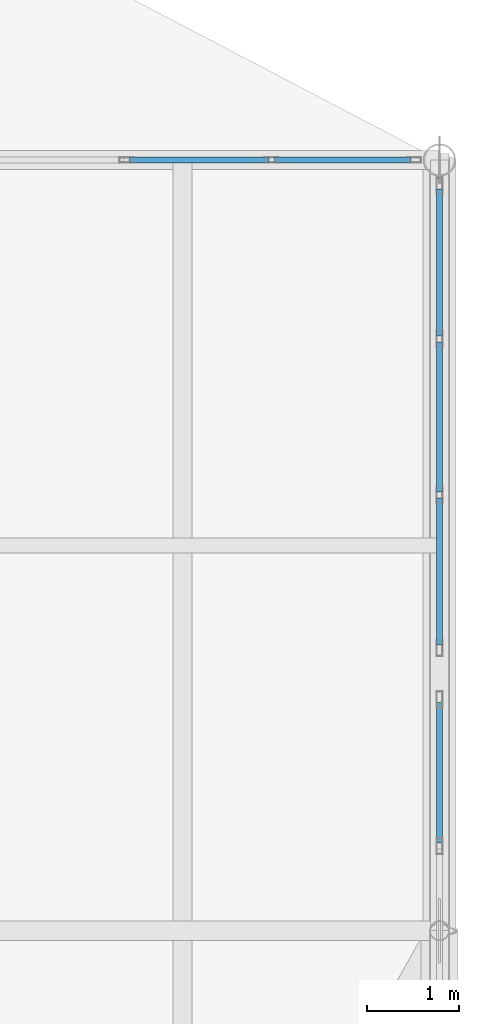
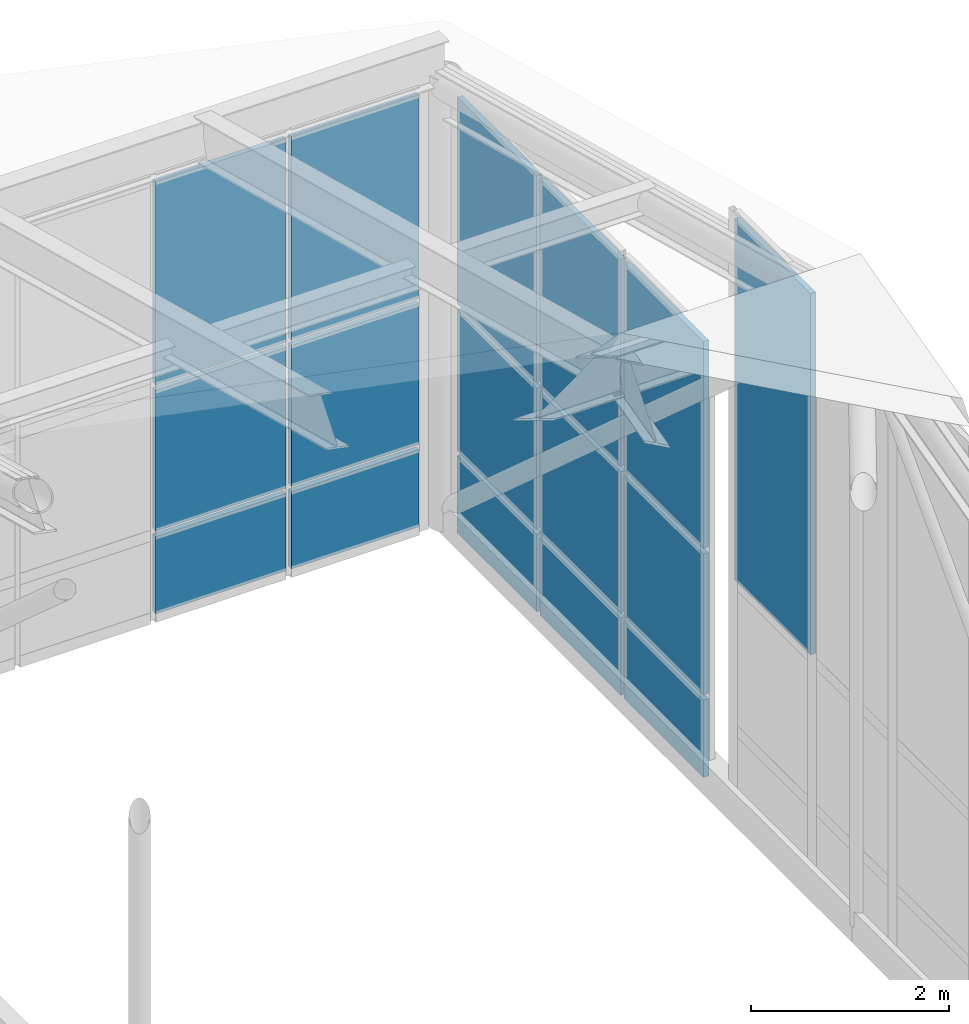
# One storey, part 40 of 43: 16 plates, 3 elements without a shape of their own.
"""IFC4 building model written with IfcOpenShell, lengths in metres."""

from ifc_helpers import new_model, si_unit, direction, frame, origin, origin_2d, place, context, subcontext, project, spatial, rectangle, extrude, material, layer, layer_set, type_object, element, aggregate, save


model = new_model("IFC4")

# Units and contexts
model_context = context("Model", 3, precision=1e-05, world=origin(), true_north=direction((0.0, 1.0)))
body_context = subcontext(model_context, "Body", "Model", "MODEL_VIEW")
ifc_project = project(units=[si_unit("LENGTHUNIT", "METRE"), si_unit("AREAUNIT", "SQUARE_METRE"), si_unit("VOLUMEUNIT", "CUBIC_METRE"), si_unit("PLANEANGLEUNIT", "RADIAN"), si_unit("MASSUNIT", "GRAM", prefix="KILO")], contexts=[model_context])

# Site, building, storey
site_placement = place(None, origin())
site = spatial("IfcSite", under=ifc_project, at=site_placement, CompositionType="ELEMENT")
building_placement = place(site_placement, origin())
building = spatial("IfcBuilding", under=site, at=building_placement, Name="Selat Folded Stagehouse", CompositionType="ELEMENT")
storey_placement = place(building_placement, frame((0.0, 0.0, 32.39990234375)))
storey = spatial("IfcBuildingStorey", under=building, at=storey_placement, Name="RF", CompositionType="ELEMENT", Elevation=32.39990234375)

# Curtain wall, plates
ifc_material_1 = material(Name="Aluminium 6063-T6", Category="aluminium")
ifc_layer_1 = layer(ifc_material_1, 0.169921875)
ifc_layer_set_1 = layer_set([ifc_layer_1], Name="Aluminium 6063-T6")
curtain_wall_type = type_object("IfcCurtainWallType", Name="CW-CRN-CLER", PredefinedType="NOTDEFINED", material=ifc_layer_set_1)
curtain_wall_1_placement = place(storey_placement, origin())
curtain_wall_1 = element("IfcCurtainWall", 1, at=curtain_wall_1_placement, inside=storey, type_object=curtain_wall_type, Name="RF curtain wall CW-RF-N-06", PredefinedType="NOTDEFINED")
ifc_material_2 = material(Name="Acoustic weather-louvre and frit crown panel", Category="aluminium")
ifc_layer_2 = layer(ifc_material_2, 0.06201171875)
ifc_layer_set_2 = layer_set([ifc_layer_2], Name="Acoustic weather-louvre and frit crown panel")
plate_type = type_object("IfcPlateType", Name="CWP-LVR-ALU62", PredefinedType="CURTAIN_PANEL", material=ifc_layer_set_2)
plate_1_placement = place(storey_placement, frame((64.580078125, 54.60009765625, 0.06494140625), z_axis=(0.0, 0.0, 1.0), x_axis=(1.0, 0.0, 0.0)))
plate_1 = element("IfcPlate", 2, at=plate_1_placement, type_object=plate_type, Name="CW-09 panel 4.1", PredefinedType="CURTAIN_PANEL", context=body_context, shape_type="SweptSolid", body=[
    extrude(rectangle(XDim=1.52001953125, YDim=0.06201171875, at=origin_2d()), origin(), (0.0, 0.0, 1.0), 0.952392578125),
])
plate_2_placement = place(storey_placement, frame((64.580078125, 54.60009765625, 1.08251953125), z_axis=(0.0, 0.0, 1.0), x_axis=(1.0, 0.0, 0.0)))
plate_2 = element("IfcPlate", 3, at=plate_2_placement, type_object=plate_type, Name="CW-09 panel 4.2", PredefinedType="CURTAIN_PANEL", context=body_context, shape_type="SweptSolid", body=[
    extrude(rectangle(XDim=1.52001953125, YDim=0.06201171875, at=origin_2d()), origin(), (0.0, 0.0, 1.0), 1.735107421875),
])
plate_3_placement = place(storey_placement, frame((64.580078125, 54.60009765625, 2.882568359375), z_axis=(0.0, 0.0, 1.0), x_axis=(1.0, 0.0, 0.0)))
plate_3 = element("IfcPlate", 4, at=plate_3_placement, type_object=plate_type, Name="CW-09 panel 4.3", PredefinedType="CURTAIN_PANEL", context=body_context, shape_type="SweptSolid", body=[
    extrude(rectangle(XDim=1.52001953125, YDim=0.06201171875, at=origin_2d()), origin(), (0.0, 0.0, 1.0), 2.50244140625),
])
plate_4_placement = place(storey_placement, frame((66.14501953125, 54.60009765625, 0.06494140625), z_axis=(0.0, 0.0, 1.0), x_axis=(1.0, 0.0, 0.0)))
plate_4 = element("IfcPlate", 5, at=plate_4_placement, type_object=plate_type, Name="CW-09 panel 5.1", PredefinedType="CURTAIN_PANEL", context=body_context, shape_type="SweptSolid", body=[
    extrude(rectangle(XDim=1.489990234375, YDim=0.06201171875, at=origin_2d()), origin(), (0.0, 0.0, 1.0), 0.952392578125),
])
plate_5_placement = place(storey_placement, frame((66.14501953125, 54.60009765625, 1.08251953125), z_axis=(0.0, 0.0, 1.0), x_axis=(1.0, 0.0, 0.0)))
plate_5 = element("IfcPlate", 6, at=plate_5_placement, type_object=plate_type, Name="CW-09 panel 5.2", PredefinedType="CURTAIN_PANEL", context=body_context, shape_type="SweptSolid", body=[
    extrude(rectangle(XDim=1.489990234375, YDim=0.06201171875, at=origin_2d()), origin(), (0.0, 0.0, 1.0), 1.735107421875),
])
plate_6_placement = place(storey_placement, frame((66.14501953125, 54.60009765625, 2.882568359375), z_axis=(0.0, 0.0, 1.0), x_axis=(1.0, 0.0, 0.0)))
plate_6 = element("IfcPlate", 7, at=plate_6_placement, type_object=plate_type, Name="CW-09 panel 5.3", PredefinedType="CURTAIN_PANEL", context=body_context, shape_type="SweptSolid", body=[
    extrude(rectangle(XDim=1.489990234375, YDim=0.06201171875, at=origin_2d()), origin(), (0.0, 0.0, 1.0), 2.50244140625),
])
aggregate(curtain_wall_1, [plate_1, plate_2, plate_3, plate_4, plate_5, plate_6])

curtain_wall_2_placement = place(storey_placement, origin())
curtain_wall_2 = element("IfcCurtainWall", 8, at=curtain_wall_2_placement, inside=storey, type_object=curtain_wall_type, Name="RF curtain wall CW-RF-E-00", PredefinedType="NOTDEFINED")
plate_7_placement = place(storey_placement, frame((67.199951171875, 53.483642578125, 0.06494140625), z_axis=(0.0, 0.0, 1.0), x_axis=(0.0, -1.0, 0.0)))
plate_7 = element("IfcPlate", 9, at=plate_7_placement, type_object=plate_type, Name="CW-09 panel 1.1", PredefinedType="CURTAIN_PANEL", context=body_context, shape_type="SweptSolid", body=[
    extrude(rectangle(XDim=1.6025390625, YDim=0.06201171875, at=origin_2d()), origin(), (0.0, 0.0, 1.0), 0.952392578125),
])
plate_8_placement = place(storey_placement, frame((67.199951171875, 53.483642578125, 1.08251953125), z_axis=(0.0, 0.0, 1.0), x_axis=(0.0, -1.0, 0.0)))
plate_8 = element("IfcPlate", 10, at=plate_8_placement, type_object=plate_type, Name="CW-09 panel 1.2", PredefinedType="CURTAIN_PANEL", context=body_context, shape_type="SweptSolid", body=[
    extrude(rectangle(XDim=1.6025390625, YDim=0.06201171875, at=origin_2d()), origin(), (0.0, 0.0, 1.0), 1.735107421875),
])
plate_9_placement = place(storey_placement, frame((67.199951171875, 53.483642578125, 2.8828125), z_axis=(0.0, 0.0, 1.0), x_axis=(0.0, -1.0, 0.0)))
plate_9 = element("IfcPlate", 11, at=plate_9_placement, type_object=plate_type, Name="CW-09 panel 1.3", PredefinedType="CURTAIN_PANEL", context=body_context, shape_type="SweptSolid", body=[
    extrude(rectangle(XDim=1.6025390625, YDim=0.06201171875, at=origin_2d()), origin(), (0.0, 0.0, 1.0), 2.552490234375),
])
plate_10_placement = place(storey_placement, frame((67.199951171875, 51.800048828125, 0.06494140625), z_axis=(0.0, 0.0, 1.0), x_axis=(0.0, -1.0, 0.0)))
plate_10 = element("IfcPlate", 12, at=plate_10_placement, type_object=plate_type, Name="CW-09 panel 2.1", PredefinedType="CURTAIN_PANEL", context=body_context, shape_type="SweptSolid", body=[
    extrude(rectangle(XDim=1.635009765625, YDim=0.06201171875, at=origin_2d()), origin(), (0.0, 0.0, 1.0), 0.952392578125),
])
plate_11_placement = place(storey_placement, frame((67.199951171875, 51.800048828125, 1.08251953125), z_axis=(0.0, 0.0, 1.0), x_axis=(0.0, -1.0, 0.0)))
plate_11 = element("IfcPlate", 13, at=plate_11_placement, type_object=plate_type, Name="CW-09 panel 2.2", PredefinedType="CURTAIN_PANEL", context=body_context, shape_type="SweptSolid", body=[
    extrude(rectangle(XDim=1.635009765625, YDim=0.06201171875, at=origin_2d()), origin(), (0.0, 0.0, 1.0), 1.735107421875),
])
plate_12_placement = place(storey_placement, frame((67.199951171875, 51.800048828125, 2.8828125), z_axis=(0.0, 0.0, 1.0), x_axis=(0.0, -1.0, 0.0)))
plate_12 = element("IfcPlate", 14, at=plate_12_placement, type_object=plate_type, Name="CW-09 panel 2.3", PredefinedType="CURTAIN_PANEL", context=body_context, shape_type="SweptSolid", body=[
    extrude(rectangle(XDim=1.635009765625, YDim=0.06201171875, at=origin_2d()), origin(), (0.0, 0.0, 1.0), 2.552490234375),
])
plate_13_placement = place(storey_placement, frame((67.199951171875, 50.1162109375, 0.06494140625), z_axis=(0.0, 0.0, 1.0), x_axis=(0.0, -1.0, 0.0)))
plate_13 = element("IfcPlate", 15, at=plate_13_placement, type_object=plate_type, Name="CW-09 panel 3.1", PredefinedType="CURTAIN_PANEL", context=body_context, shape_type="SweptSolid", body=[
    extrude(rectangle(XDim=1.6025390625, YDim=0.06201171875, at=origin_2d()), origin(), (0.0, 0.0, 1.0), 0.952392578125),
])
plate_14_placement = place(storey_placement, frame((67.199951171875, 50.1162109375, 1.08251953125), z_axis=(0.0, 0.0, 1.0), x_axis=(0.0, -1.0, 0.0)))
plate_14 = element("IfcPlate", 16, at=plate_14_placement, type_object=plate_type, Name="CW-09 panel 3.2", PredefinedType="CURTAIN_PANEL", context=body_context, shape_type="SweptSolid", body=[
    extrude(rectangle(XDim=1.6025390625, YDim=0.06201171875, at=origin_2d()), origin(), (0.0, 0.0, 1.0), 1.735107421875),
])
plate_15_placement = place(storey_placement, frame((67.199951171875, 50.1162109375, 2.8828125), z_axis=(0.0, 0.0, 1.0), x_axis=(0.0, -1.0, 0.0)))
plate_15 = element("IfcPlate", 17, at=plate_15_placement, type_object=plate_type, Name="CW-09 panel 3.3", PredefinedType="CURTAIN_PANEL", context=body_context, shape_type="SweptSolid", body=[
    extrude(rectangle(XDim=1.6025390625, YDim=0.06201171875, at=origin_2d()), origin(), (0.0, 0.0, 1.0), 2.552490234375),
])
aggregate(curtain_wall_2, [plate_7, plate_8, plate_9, plate_10, plate_11, plate_12, plate_13, plate_14, plate_15])

# Curtain wall, plate
curtain_wall_3_placement = place(storey_placement, origin())
curtain_wall_3 = element("IfcCurtainWall", 18, at=curtain_wall_3_placement, inside=storey, type_object=curtain_wall_type, Name="RF curtain wall CW-RF-E-01", PredefinedType="NOTDEFINED")
plate_16_placement = place(storey_placement, frame((67.199951171875, 47.921142578125, 2.8828125), z_axis=(0.0, 0.0, 1.0), x_axis=(0.0, -1.0, 0.0)))
plate_16 = element("IfcPlate", 19, at=plate_16_placement, type_object=plate_type, Name="CW-09 panel 1.3", PredefinedType="CURTAIN_PANEL", context=body_context, shape_type="SweptSolid", body=[
    extrude(rectangle(XDim=1.527587890625, YDim=0.06201171875, at=origin_2d()), origin(), (0.0, 0.0, 1.0), 4.452392578125),
])
aggregate(curtain_wall_3, [plate_16])

save(model, "model.ifc")
